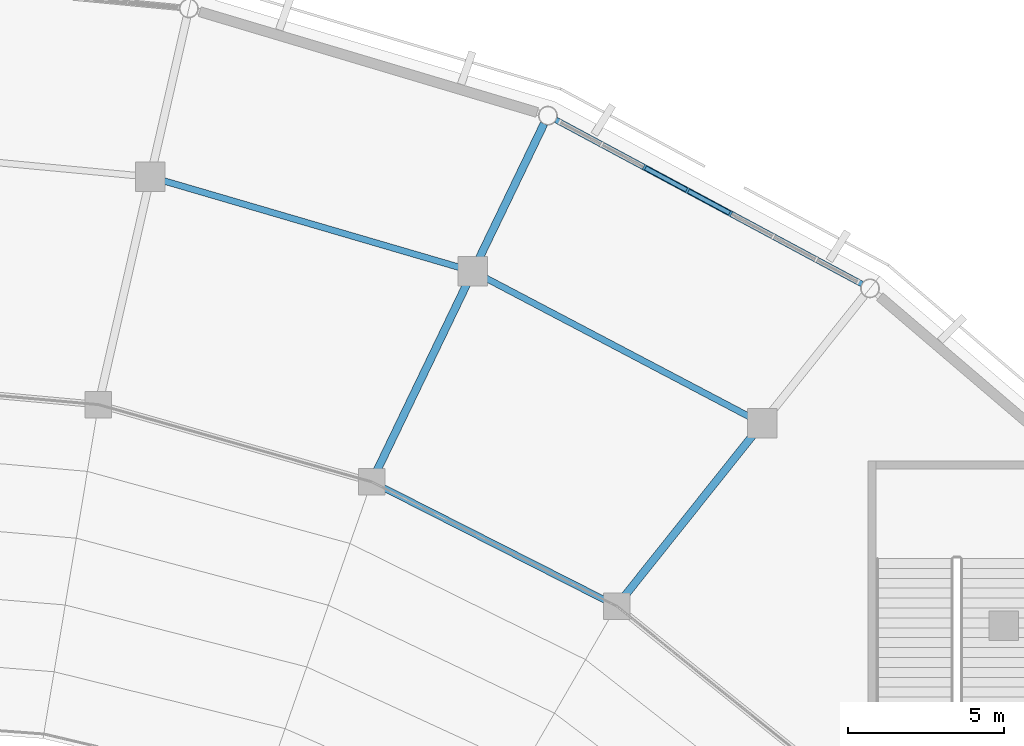
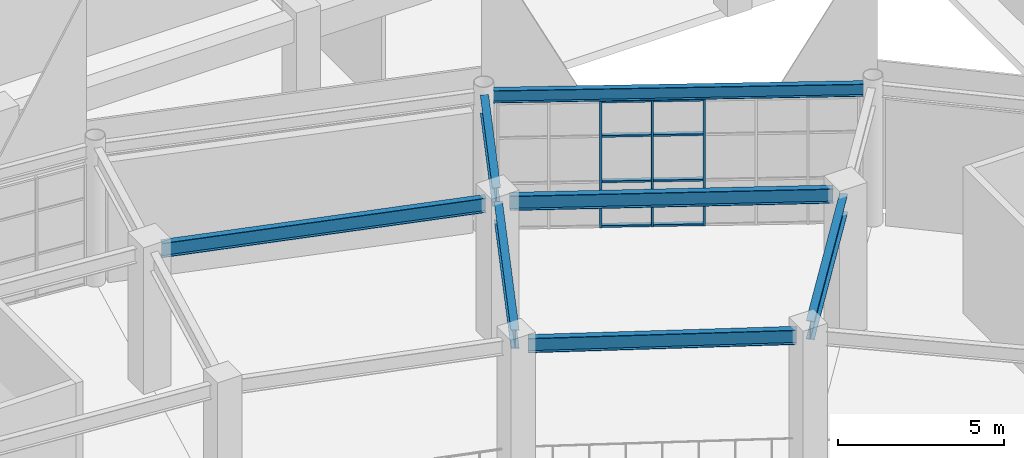
# One storey, part 43 of 120: 11 members, 7 beams, 1 element without a shape of its own.
"""IFC4 building model written with IfcOpenShell, lengths in metres."""

from ifc_helpers import new_model, si_unit, direction, frame, origin, origin_2d, place, context, subcontext, project, spatial, rectangle, i_section, extrude, material, material_profile, profile_set, type_object, element, aggregate, save


model = new_model("IFC4")

# Units and contexts
model_context = context("Model", 3, precision=1e-05, world=origin(), true_north=direction((0.0, 1.0)))
body_context = subcontext(model_context, "Body", "Model", "MODEL_VIEW")
ifc_project = project(units=[si_unit("LENGTHUNIT", "METRE"), si_unit("AREAUNIT", "SQUARE_METRE"), si_unit("VOLUMEUNIT", "CUBIC_METRE"), si_unit("PLANEANGLEUNIT", "RADIAN"), si_unit("MASSUNIT", "GRAM", prefix="KILO")], contexts=[model_context])

# Site, building, storey
site_placement = place(None, origin())
site = spatial("IfcSite", under=ifc_project, at=site_placement, CompositionType="ELEMENT")
building_placement = place(site_placement, origin())
building = spatial("IfcBuilding", under=site, at=building_placement, Name="Cuetzalor Civic Arena", CompositionType="ELEMENT")
storey_placement = place(building_placement, frame((0.0, 0.0, 6.0)))
storey = spatial("IfcBuildingStorey", under=building, at=storey_placement, Name="L01", CompositionType="ELEMENT", Elevation=6.0)

# Curtain wall, members
ifc_material_1 = material(Name="Anodised dark bronze aluminium and low-E solar glass", Category="aluminium")
curtain_wall_type = type_object("IfcCurtainWallType", Name="UnitisedCW_10950x4650", PredefinedType="USERDEFINED", material=ifc_material_1)
curtain_wall_placement = place(storey_placement, origin())
curtain_wall = element("IfcCurtainWall", 1, at=curtain_wall_placement, inside=storey, type_object=curtain_wall_type, Name="Drum Triangle Foyer Curtain Wall L01-022", ObjectType="UNITISED CURTAIN WALL", PredefinedType="USERDEFINED")
ifc_material_2 = material(Name="Anodised dark bronze aluminium", Category="aluminium")
ifc_material_profile_1 = material_profile(ifc_material_2, rectangle(XDim=0.070068359375, YDim=0.179931640625, at=origin_2d()), Name="ALU MULLION 70x180")
ifc_profile_set_1 = profile_set([ifc_material_profile_1], Name="Anodised dark bronze aluminium")
member_type_1 = type_object("IfcMemberType", Name="CurtainWallMullion_65x180", PredefinedType="MULLION", material=ifc_profile_set_1)
member_1_placement = place(storey_placement, frame((26.772705078125, 40.275634765625, 0.0), z_axis=(0.0, 0.0, 1.0), x_axis=(0.881306344124, -0.472545371163, 0.0)))
member_1 = element("IfcMember", 2, at=member_1_placement, type_object=member_type_1, Name="CW-07 mullion 3", PredefinedType="MULLION", context=body_context, shape_type="SweptSolid", body=[
    extrude(rectangle(XDim=0.070068359375, YDim=0.179931640625, at=origin_2d()), origin(), (0.0, 0.0, 1.0), 4.653076171875),
])
member_2_placement = place(storey_placement, frame((28.15087890625, 39.53662109375, 0.0), z_axis=(0.0, 0.0, 1.0), x_axis=(0.881306344124, -0.472545371163, 0.0)))
member_2 = element("IfcMember", 3, at=member_2_placement, type_object=member_type_1, Name="CW-07 mullion 4", PredefinedType="MULLION", context=body_context, shape_type="SweptSolid", body=[
    extrude(rectangle(XDim=0.070068359375, YDim=0.179931640625, at=origin_2d()), origin(), (0.0, 0.0, 1.0), 4.653076171875),
])
member_3_placement = place(storey_placement, frame((29.529052734375, 38.797607421875, 0.0), z_axis=(0.0, 0.0, 1.0), x_axis=(0.881306344124, -0.472545371163, 0.0)))
member_3 = element("IfcMember", 4, at=member_3_placement, type_object=member_type_1, Name="CW-07 mullion 5", PredefinedType="MULLION", context=body_context, shape_type="SweptSolid", body=[
    extrude(rectangle(XDim=0.070068359375, YDim=0.179931640625, at=origin_2d()), origin(), (0.0, 0.0, 1.0), 4.653076171875),
])
ifc_material_3 = material(Name="Anodised dark bronze aluminium", Category="aluminium")
ifc_material_profile_2 = material_profile(ifc_material_3, rectangle(XDim=0.139892578125, YDim=0.070068359375, at=origin_2d()), Name="ALU TRANSOM 70x140")
ifc_profile_set_2 = profile_set([ifc_material_profile_2], Name="Anodised dark bronze aluminium")
member_type_2 = type_object("IfcMemberType", Name="CurtainWallTransom_65x140", PredefinedType="USERDEFINED", material=ifc_profile_set_2)
member_4_placement = place(storey_placement, frame((26.803466796875, 40.259033203125, 0.034912109375), z_axis=(0.881314685602, -0.472529813812, 0.0), x_axis=(0.472529813812, 0.881314685602, 0.0)))
member_4 = element("IfcMember", 5, at=member_4_placement, type_object=member_type_2, Name="CW-07 transom 3.1", ObjectType="TRANSOM", PredefinedType="USERDEFINED", context=body_context, shape_type="SweptSolid", body=[
    extrude(rectangle(XDim=0.139892578125, YDim=0.070068359375, at=origin_2d()), origin(), (0.0, 0.0, 1.0), 1.49365234375),
])
member_5_placement = place(storey_placement, frame((26.803466796875, 40.259033203125, 1.675048828125), z_axis=(0.881314685602, -0.472529813812, 0.0), x_axis=(0.472529813812, 0.881314685602, 0.0)))
member_5 = element("IfcMember", 6, at=member_5_placement, type_object=member_type_2, Name="CW-07 transom 3.2", ObjectType="TRANSOM", PredefinedType="USERDEFINED", context=body_context, shape_type="SweptSolid", body=[
    extrude(rectangle(XDim=0.139892578125, YDim=0.070068359375, at=origin_2d()), origin(), (0.0, 0.0, 1.0), 1.49365234375),
])
member_6_placement = place(storey_placement, frame((26.803466796875, 40.259033203125, 3.35009765625), z_axis=(0.881314685602, -0.472529813812, 0.0), x_axis=(0.472529813812, 0.881314685602, 0.0)))
member_6 = element("IfcMember", 7, at=member_6_placement, type_object=member_type_2, Name="CW-07 transom 3.3", ObjectType="TRANSOM", PredefinedType="USERDEFINED", context=body_context, shape_type="SweptSolid", body=[
    extrude(rectangle(XDim=0.139892578125, YDim=0.070068359375, at=origin_2d()), origin(), (0.0, 0.0, 1.0), 1.49365234375),
])
member_7_placement = place(storey_placement, frame((26.803466796875, 40.259033203125, 4.617919921875), z_axis=(0.881314685602, -0.472529813812, 0.0), x_axis=(0.472529813812, 0.881314685602, 0.0)))
member_7 = element("IfcMember", 8, at=member_7_placement, type_object=member_type_2, Name="CW-07 transom 3.4", ObjectType="TRANSOM", PredefinedType="USERDEFINED", context=body_context, shape_type="SweptSolid", body=[
    extrude(rectangle(XDim=0.139892578125, YDim=0.070068359375, at=origin_2d()), origin(), (0.0, 0.0, 1.0), 1.49365234375),
])
member_8_placement = place(storey_placement, frame((28.181640625, 39.52001953125, 0.034912109375), z_axis=(0.881314685602, -0.472529813812, 0.0), x_axis=(0.472529813812, 0.881314685602, 0.0)))
member_8 = element("IfcMember", 9, at=member_8_placement, type_object=member_type_2, Name="CW-07 transom 4.1", ObjectType="TRANSOM", PredefinedType="USERDEFINED", context=body_context, shape_type="SweptSolid", body=[
    extrude(rectangle(XDim=0.139892578125, YDim=0.070068359375, at=origin_2d()), origin(), (0.0, 0.0, 1.0), 1.49365234375),
])
member_9_placement = place(storey_placement, frame((28.181640625, 39.52001953125, 1.675048828125), z_axis=(0.881314685602, -0.472529813812, 0.0), x_axis=(0.472529813812, 0.881314685602, 0.0)))
member_9 = element("IfcMember", 10, at=member_9_placement, type_object=member_type_2, Name="CW-07 transom 4.2", ObjectType="TRANSOM", PredefinedType="USERDEFINED", context=body_context, shape_type="SweptSolid", body=[
    extrude(rectangle(XDim=0.139892578125, YDim=0.070068359375, at=origin_2d()), origin(), (0.0, 0.0, 1.0), 1.49365234375),
])
member_10_placement = place(storey_placement, frame((28.181640625, 39.52001953125, 3.35009765625), z_axis=(0.881314685602, -0.472529813812, 0.0), x_axis=(0.472529813812, 0.881314685602, 0.0)))
member_10 = element("IfcMember", 11, at=member_10_placement, type_object=member_type_2, Name="CW-07 transom 4.3", ObjectType="TRANSOM", PredefinedType="USERDEFINED", context=body_context, shape_type="SweptSolid", body=[
    extrude(rectangle(XDim=0.139892578125, YDim=0.070068359375, at=origin_2d()), origin(), (0.0, 0.0, 1.0), 1.49365234375),
])
member_11_placement = place(storey_placement, frame((28.181640625, 39.52001953125, 4.617919921875), z_axis=(0.881314685602, -0.472529813812, 0.0), x_axis=(0.472529813812, 0.881314685602, 0.0)))
member_11 = element("IfcMember", 12, at=member_11_placement, type_object=member_type_2, Name="CW-07 transom 4.4", ObjectType="TRANSOM", PredefinedType="USERDEFINED", context=body_context, shape_type="SweptSolid", body=[
    extrude(rectangle(XDim=0.139892578125, YDim=0.070068359375, at=origin_2d()), origin(), (0.0, 0.0, 1.0), 1.49365234375),
])
aggregate(curtain_wall, [member_1, member_2, member_3, member_4, member_5, member_6, member_7, member_8, member_9, member_10, member_11])

# Beams
ifc_material_4 = material(Name="Steel S355", Category="steel")
ifc_material_profile_3 = material_profile(ifc_material_4, i_section(OverallWidth=0.18994140625, OverallDepth=0.45703125, WebThickness=0.009033203125, FlangeThickness=0.014404296875, at=origin_2d()), Name="W460x74")
ifc_profile_set_3 = profile_set([ifc_material_profile_3], Name="Steel S355")
beam_type_1 = type_object("IfcBeamType", Name="FacadeSpandrelBeam_W460", PredefinedType="SPANDREL", material=ifc_profile_set_3)
beam_1_placement = place(storey_placement, frame((33.755859375, 36.53125, 4.8916015625), z_axis=(-0.881304552514, 0.472548712534, 0.0), x_axis=(-0.472548712534, -0.881304552514, 0.0)))
element("IfcBeam", 13, at=beam_1_placement, inside=storey, type_object=beam_type_1, Name="Drum Perimeter Spandrel L01-S05", PredefinedType="SPANDREL", context=body_context, shape_type="SweptSolid", body=[
    extrude(i_section(OverallWidth=0.18994140625, OverallDepth=0.45703125, WebThickness=0.009033203125, FlangeThickness=0.014404296875, at=origin_2d()), origin(), (0.0, 0.0, 1.0), 11.156005859375),
])
ifc_material_5 = material(Name="Steel S355", Category="steel")
ifc_material_profile_4 = material_profile(ifc_material_5, i_section(OverallWidth=0.208984375, OverallDepth=0.532958984375, WebThickness=0.01025390625, FlangeThickness=0.015625, at=origin_2d()), Name="W530x92")
ifc_profile_set_4 = profile_set([ifc_material_profile_4], Name="Steel S355")
beam_type_2 = type_object("IfcBeamType", Name="SteelCollarGirder_W530", PredefinedType="BEAM", material=ifc_profile_set_4)
beam_2_placement = place(storey_placement, frame((30.223388671875, 32.227294921875, 4.853515625), z_axis=(-0.885117354883, 0.465367884673, 0.0), x_axis=(-0.465367884673, -0.885117354883, 0.0)))
element("IfcBeam", 14, at=beam_2_placement, inside=storey, type_object=beam_type_2, Name="Drum Concourse Ring Girder L01-S05", PredefinedType="BEAM", context=body_context, shape_type="SweptSolid", body=[
    extrude(i_section(OverallWidth=0.208984375, OverallDepth=0.532958984375, WebThickness=0.01025390625, FlangeThickness=0.015625, at=origin_2d()), origin(), (0.0, 0.0, 1.0), 9.75634765625),
])
beam_3_placement = place(storey_placement, frame((25.5537109375, 26.354248046875, 4.853515625), z_axis=(-0.89182706622, 0.452376484754, 0.0), x_axis=(-0.452376484754, -0.89182706622, 0.0)))
element("IfcBeam", 15, at=beam_3_placement, inside=storey, type_object=beam_type_2, Name="Bowl Inner Ring Girder L01-S05", PredefinedType="BEAM", context=body_context, shape_type="SweptSolid", body=[
    extrude(i_section(OverallWidth=0.208984375, OverallDepth=0.532958984375, WebThickness=0.01025390625, FlangeThickness=0.015625, at=origin_2d()), origin(), (0.0, 0.0, 1.0), 8.102783203125),
])
beam_4_placement = place(storey_placement, frame((20.9052734375, 37.043701171875, 4.853515625), z_axis=(-0.959716323112, 0.280970779889, 0.0), x_axis=(-0.280970779889, -0.959716323112, 0.0)))
element("IfcBeam", 16, at=beam_4_placement, inside=storey, type_object=beam_type_2, Name="Drum Concourse Ring Girder L01-S06", PredefinedType="BEAM", context=body_context, shape_type="SweptSolid", body=[
    extrude(i_section(OverallWidth=0.208984375, OverallDepth=0.532958984375, WebThickness=0.01025390625, FlangeThickness=0.015625, at=origin_2d()), origin(), (0.0, 0.0, 1.0), 10.0517578125),
])
ifc_material_6 = material(Name="Steel S355", Category="steel")
ifc_material_profile_5 = material_profile(ifc_material_6, i_section(OverallWidth=0.2529296875, OverallDepth=0.677978515625, WebThickness=0.01171875, FlangeThickness=0.016357421875, at=origin_2d()), Name="W690x125")
ifc_profile_set_5 = profile_set([ifc_material_profile_5], Name="Steel S355")
beam_type_3 = type_object("IfcBeamType", Name="SteelPrimaryGirder_W690", PredefinedType="BEAM", material=ifc_profile_set_5)
beam_5_placement = place(storey_placement, frame((26.099365234375, 26.472900390625, 4.781005859375), z_axis=(0.623473464464, 0.781844510826, 0.0), x_axis=(-0.781844510826, 0.623473464464, 0.0)))
element("IfcBeam", 17, at=beam_5_placement, inside=storey, type_object=beam_type_3, Name="Drum Inner Radial Girder L01-R05", PredefinedType="BEAM", context=body_context, shape_type="SweptSolid", body=[
    extrude(i_section(OverallWidth=0.2529296875, OverallDepth=0.677978515625, WebThickness=0.01171875, FlangeThickness=0.016357421875, at=origin_2d()), origin(), (0.0, 0.0, 1.0), 6.77978515625),
])
beam_6_placement = place(storey_placement, frame((21.41650390625, 37.263916015625, 4.781005859375), z_axis=(0.433871046232, 0.900974980364, 0.0), x_axis=(-0.900974980364, 0.433871046232, 0.0)))
element("IfcBeam", 18, at=beam_6_placement, inside=storey, type_object=beam_type_3, Name="Drum Radial Girder L01-R06", PredefinedType="BEAM", context=body_context, shape_type="SweptSolid", body=[
    extrude(i_section(OverallWidth=0.2529296875, OverallDepth=0.677978515625, WebThickness=0.01171875, FlangeThickness=0.016357421875, at=origin_2d()), origin(), (0.0, 0.0, 1.0), 4.89990234375),
])
beam_7_placement = place(storey_placement, frame((18.162353515625, 30.5068359375, 4.781005859375), z_axis=(0.433869751452, 0.900975603874, 0.0), x_axis=(-0.900975603874, 0.433869751452, 0.0)))
element("IfcBeam", 19, at=beam_7_placement, inside=storey, type_object=beam_type_3, Name="Drum Inner Radial Girder L01-R06", PredefinedType="BEAM", context=body_context, shape_type="SweptSolid", body=[
    extrude(i_section(OverallWidth=0.2529296875, OverallDepth=0.677978515625, WebThickness=0.01171875, FlangeThickness=0.016357421875, at=origin_2d()), origin(), (0.0, 0.0, 1.0), 6.780029296875),
])

save(model, "model.ifc")
